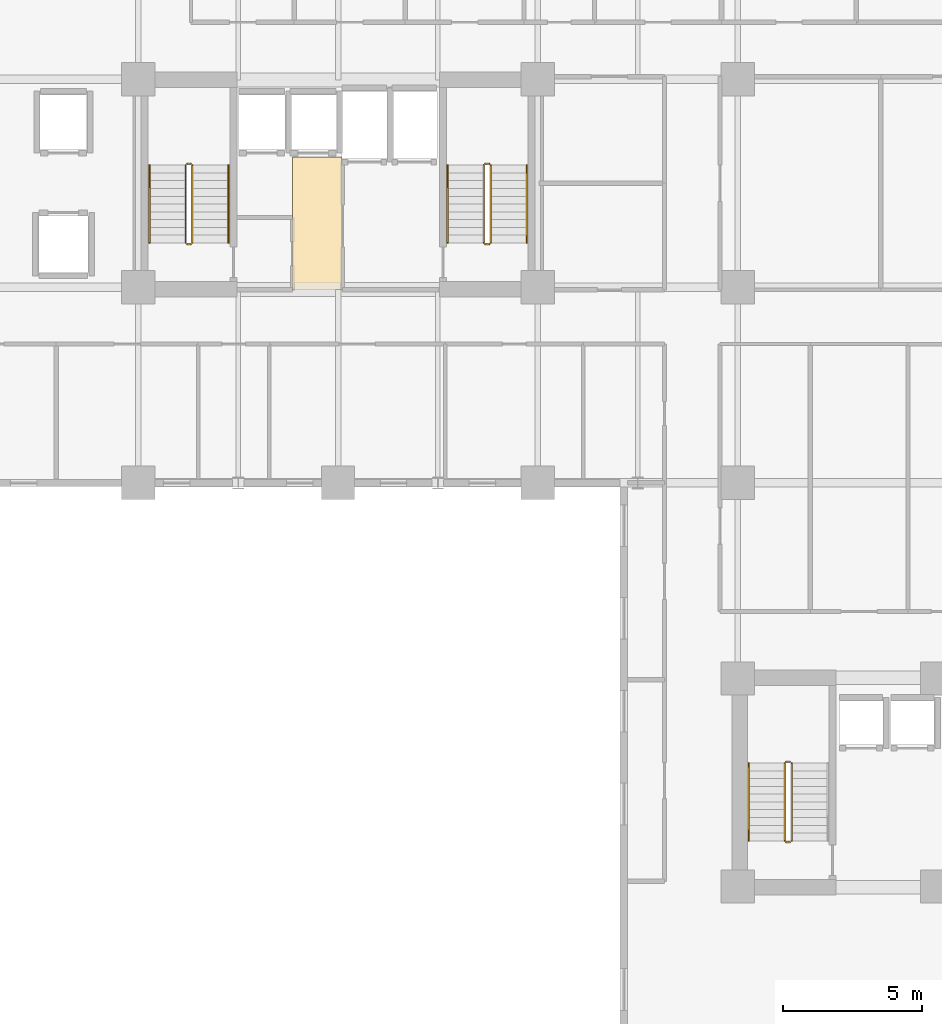
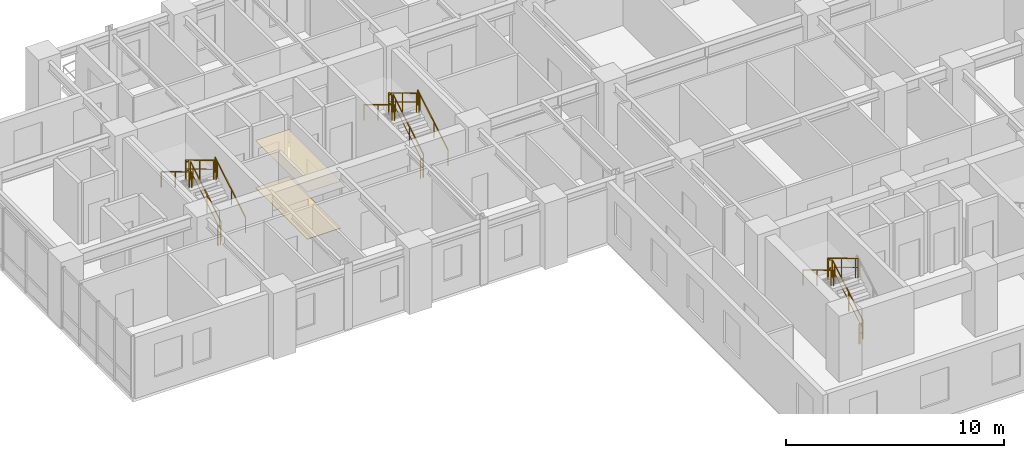
# One storey, part 15 of 18: 17 railings, 2 coverings.
"""IFC4 building model written with IfcOpenShell, lengths in metres."""

from ifc_helpers import new_model, si_unit, direction, frame, origin, origin_2d, place, context, subcontext, project, spatial, rectangle, extrude, source, transform, mapped, material, layer, layer_set, type_object, element, save


model = new_model("IFC4")

# Units and contexts
model_context = context("Model", 3, precision=1e-05, world=origin(), true_north=direction((0.0, 1.0)))
body_context = subcontext(model_context, "Body", "Model", "MODEL_VIEW")
ifc_project = project(units=[si_unit("LENGTHUNIT", "METRE"), si_unit("AREAUNIT", "SQUARE_METRE"), si_unit("VOLUMEUNIT", "CUBIC_METRE"), si_unit("PLANEANGLEUNIT", "RADIAN"), si_unit("MASSUNIT", "GRAM", prefix="KILO")], contexts=[model_context])

# Site, building, storey
site_placement = place(None, origin())
site = spatial("IfcSite", under=ifc_project, at=site_placement, CompositionType="ELEMENT")
building_placement = place(site_placement, origin())
building = spatial("IfcBuilding", under=site, at=building_placement, Name="Kaliganga Portal Commons", CompositionType="ELEMENT")
storey_placement = place(building_placement, frame((0.0, 0.0, 123.0)))
storey = spatial("IfcBuildingStorey", under=building, at=storey_placement, Name="L31", CompositionType="ELEMENT", Elevation=123.0)

# Railings
ifc_material_1 = material(Name="Galvanized Painted Steel Balustrade", Category="steel")
railing_type_1 = type_object("IfcRailingType", Name="RLG-STAIR-GRD", PredefinedType="GUARDRAIL", material=ifc_material_1)
railing_1_placement = place(storey_placement, frame((16.35009765625, 30.25, 0.168212890625)))
element("IfcRailing", 1, at=railing_1_placement, inside=storey, type_object=railing_type_1, Name="L31 ST-A1 stair guard 1", PredefinedType="GUARDRAIL", context=body_context, shape_type="SweptSolid", body=[
    extrude(rectangle(XDim=0.048095703125, YDim=0.048095703125, at=origin_2d()), frame((0.0, 0.0, 1.072021484375), z_axis=(0.0, 0.857242210791, 0.514913383045), x_axis=(-1.0, 0.0, 0.0)), (0.0, 0.0, 1.0), 3.266357421875),
    extrude(rectangle(XDim=0.028076171875, YDim=0.028076171875, at=origin_2d()), frame((0.0, 0.0, 0.572021484375), z_axis=(0.0, 0.857242210791, 0.514913383045), x_axis=(-1.0, 0.0, 0.0)), (0.0, 0.0, 1.0), 3.266357421875),
    extrude(rectangle(XDim=0.0419921875, YDim=0.0419921875, at=origin_2d()), origin(), (0.0, 0.0, 1.0), 1.052001953125),
    extrude(rectangle(XDim=0.0419921875, YDim=0.0419921875, at=origin_2d()), frame((0.0, 1.285888671875, 0.7724609375)), (0.0, 0.0, 1.0), 1.052001953125),
    extrude(rectangle(XDim=0.0419921875, YDim=0.0419921875, at=origin_2d()), frame((0.0, 2.57177734375, 1.544677734375)), (0.0, 0.0, 1.0), 1.052001953125),
    extrude(rectangle(XDim=0.0419921875, YDim=0.0419921875, at=origin_2d()), frame((0.0, 2.800048828125, 1.681884765625)), (0.0, 0.0, 1.0), 1.052001953125),
])
railing_2_placement = place(storey_placement, frame((16.300048828125, 33.10009765625, 1.85009765625)))
element("IfcRailing", 2, at=railing_2_placement, inside=storey, type_object=railing_type_1, Name="L31 ST-A1 stair guard 2", PredefinedType="GUARDRAIL", context=body_context, shape_type="SweptSolid", body=[
    extrude(rectangle(XDim=0.048095703125, YDim=0.048095703125, at=origin_2d()), frame((0.0, 0.0, 1.076171875), z_axis=(-1.0, 0.0, 0.0), x_axis=(0.0, -1.0, 0.0)), (0.0, 0.0, 1.0), 0.150146484375),
    extrude(rectangle(XDim=0.028076171875, YDim=0.028076171875, at=origin_2d()), frame((0.0, 0.0, 0.572021484375), z_axis=(-1.0, 0.0, 0.0), x_axis=(0.0, -1.0, 0.0)), (0.0, 0.0, 1.0), 0.150146484375),
    extrude(rectangle(XDim=0.0419921875, YDim=0.0419921875, at=origin_2d()), origin(), (0.0, 0.0, 1.0), 1.052001953125),
    extrude(rectangle(XDim=0.0419921875, YDim=0.0419921875, at=origin_2d()), frame((-0.150146484375, 0.0, 0.0)), (0.0, 0.0, 1.0), 1.052001953125),
])
railing_3_placement = place(storey_placement, frame((16.10009765625, 33.050048828125, 2.01806640625)))
element("IfcRailing", 3, at=railing_3_placement, inside=storey, type_object=railing_type_1, Name="L31 ST-A1 stair guard 3", PredefinedType="GUARDRAIL", context=body_context, shape_type="SweptSolid", body=[
    extrude(rectangle(XDim=0.048095703125, YDim=0.048095703125, at=origin_2d()), frame((0.0, 0.0, 1.072021484375), z_axis=(0.0, -0.857242210791, 0.514913383045), x_axis=(1.0, 0.0, 0.0)), (0.0, 0.0, 1.0), 3.266357421875),
    extrude(rectangle(XDim=0.028076171875, YDim=0.028076171875, at=origin_2d()), frame((0.0, 0.0, 0.572021484375), z_axis=(0.0, -0.857242210791, 0.514913383045), x_axis=(1.0, 0.0, 0.0)), (0.0, 0.0, 1.0), 3.266357421875),
    extrude(rectangle(XDim=0.0419921875, YDim=0.0419921875, at=origin_2d()), origin(), (0.0, 0.0, 1.0), 1.052001953125),
    extrude(rectangle(XDim=0.0419921875, YDim=0.0419921875, at=origin_2d()), frame((0.0, -1.285888671875, 0.7724609375)), (0.0, 0.0, 1.0), 1.052001953125),
    extrude(rectangle(XDim=0.0419921875, YDim=0.0419921875, at=origin_2d()), frame((0.0, -2.57177734375, 1.544677734375)), (0.0, 0.0, 1.0), 1.052001953125),
    extrude(rectangle(XDim=0.0419921875, YDim=0.0419921875, at=origin_2d()), frame((0.0, -2.800048828125, 1.681884765625)), (0.0, 0.0, 1.0), 1.052001953125),
])
railing_4_placement = place(storey_placement, frame((16.300048828125, 30.199951171875, 0.0)))
element("IfcRailing", 4, at=railing_4_placement, inside=storey, type_object=railing_type_1, Name="L31 ST-A1 stair guard 4", PredefinedType="GUARDRAIL", context=body_context, shape_type="SweptSolid", body=[
    extrude(rectangle(XDim=0.048095703125, YDim=0.048095703125, at=origin_2d()), frame((0.0, 0.0, 1.076171875), z_axis=(-1.0, 0.0, 0.0), x_axis=(0.0, -1.0, 0.0)), (0.0, 0.0, 1.0), 0.150146484375),
    extrude(rectangle(XDim=0.028076171875, YDim=0.028076171875, at=origin_2d()), frame((0.0, 0.0, 0.572021484375), z_axis=(-1.0, 0.0, 0.0), x_axis=(0.0, -1.0, 0.0)), (0.0, 0.0, 1.0), 0.150146484375),
    extrude(rectangle(XDim=0.0419921875, YDim=0.0419921875, at=origin_2d()), origin(), (0.0, 0.0, 1.0), 1.052001953125),
    extrude(rectangle(XDim=0.0419921875, YDim=0.0419921875, at=origin_2d()), frame((-0.150146484375, 0.0, 0.0)), (0.0, 0.0, 1.0), 1.052001953125),
])
railing_5_placement = place(storey_placement, frame((27.10009765625, 30.25, 0.168212890625)))
element("IfcRailing", 5, at=railing_5_placement, inside=storey, type_object=railing_type_1, Name="L31 ST-A2 stair guard 1", PredefinedType="GUARDRAIL", context=body_context, shape_type="SweptSolid", body=[
    extrude(rectangle(XDim=0.048095703125, YDim=0.048095703125, at=origin_2d()), frame((0.0, 0.0, 1.072021484375), z_axis=(0.0, 0.857242210791, 0.514913383045), x_axis=(-1.0, 0.0, 0.0)), (0.0, 0.0, 1.0), 3.266357421875),
    extrude(rectangle(XDim=0.028076171875, YDim=0.028076171875, at=origin_2d()), frame((0.0, 0.0, 0.572021484375), z_axis=(0.0, 0.857242210791, 0.514913383045), x_axis=(-1.0, 0.0, 0.0)), (0.0, 0.0, 1.0), 3.266357421875),
    extrude(rectangle(XDim=0.0419921875, YDim=0.0419921875, at=origin_2d()), origin(), (0.0, 0.0, 1.0), 1.052001953125),
    extrude(rectangle(XDim=0.0419921875, YDim=0.0419921875, at=origin_2d()), frame((0.0, 1.285888671875, 0.7724609375)), (0.0, 0.0, 1.0), 1.052001953125),
    extrude(rectangle(XDim=0.0419921875, YDim=0.0419921875, at=origin_2d()), frame((0.0, 2.57177734375, 1.544677734375)), (0.0, 0.0, 1.0), 1.052001953125),
    extrude(rectangle(XDim=0.0419921875, YDim=0.0419921875, at=origin_2d()), frame((0.0, 2.800048828125, 1.681884765625)), (0.0, 0.0, 1.0), 1.052001953125),
])
railing_6_placement = place(storey_placement, frame((27.050048828125, 33.10009765625, 1.85009765625)))
element("IfcRailing", 6, at=railing_6_placement, inside=storey, type_object=railing_type_1, Name="L31 ST-A2 stair guard 2", PredefinedType="GUARDRAIL", context=body_context, shape_type="SweptSolid", body=[
    extrude(rectangle(XDim=0.048095703125, YDim=0.048095703125, at=origin_2d()), frame((0.0, 0.0, 1.076171875), z_axis=(-1.0, 0.0, 0.0), x_axis=(0.0, -1.0, 0.0)), (0.0, 0.0, 1.0), 0.150146484375),
    extrude(rectangle(XDim=0.028076171875, YDim=0.028076171875, at=origin_2d()), frame((0.0, 0.0, 0.572021484375), z_axis=(-1.0, 0.0, 0.0), x_axis=(0.0, -1.0, 0.0)), (0.0, 0.0, 1.0), 0.150146484375),
    extrude(rectangle(XDim=0.0419921875, YDim=0.0419921875, at=origin_2d()), origin(), (0.0, 0.0, 1.0), 1.052001953125),
    extrude(rectangle(XDim=0.0419921875, YDim=0.0419921875, at=origin_2d()), frame((-0.150146484375, 0.0, 0.0)), (0.0, 0.0, 1.0), 1.052001953125),
])
railing_7_placement = place(storey_placement, frame((26.85009765625, 33.050048828125, 2.01806640625)))
element("IfcRailing", 7, at=railing_7_placement, inside=storey, type_object=railing_type_1, Name="L31 ST-A2 stair guard 3", PredefinedType="GUARDRAIL", context=body_context, shape_type="SweptSolid", body=[
    extrude(rectangle(XDim=0.048095703125, YDim=0.048095703125, at=origin_2d()), frame((0.0, 0.0, 1.072021484375), z_axis=(0.0, -0.857242210791, 0.514913383045), x_axis=(1.0, 0.0, 0.0)), (0.0, 0.0, 1.0), 3.266357421875),
    extrude(rectangle(XDim=0.028076171875, YDim=0.028076171875, at=origin_2d()), frame((0.0, 0.0, 0.572021484375), z_axis=(0.0, -0.857242210791, 0.514913383045), x_axis=(1.0, 0.0, 0.0)), (0.0, 0.0, 1.0), 3.266357421875),
    extrude(rectangle(XDim=0.0419921875, YDim=0.0419921875, at=origin_2d()), origin(), (0.0, 0.0, 1.0), 1.052001953125),
    extrude(rectangle(XDim=0.0419921875, YDim=0.0419921875, at=origin_2d()), frame((0.0, -1.285888671875, 0.7724609375)), (0.0, 0.0, 1.0), 1.052001953125),
    extrude(rectangle(XDim=0.0419921875, YDim=0.0419921875, at=origin_2d()), frame((0.0, -2.57177734375, 1.544677734375)), (0.0, 0.0, 1.0), 1.052001953125),
    extrude(rectangle(XDim=0.0419921875, YDim=0.0419921875, at=origin_2d()), frame((0.0, -2.800048828125, 1.681884765625)), (0.0, 0.0, 1.0), 1.052001953125),
])
railing_8_placement = place(storey_placement, frame((27.050048828125, 30.199951171875, 0.0)))
element("IfcRailing", 8, at=railing_8_placement, inside=storey, type_object=railing_type_1, Name="L31 ST-A2 stair guard 4", PredefinedType="GUARDRAIL", context=body_context, shape_type="SweptSolid", body=[
    extrude(rectangle(XDim=0.048095703125, YDim=0.048095703125, at=origin_2d()), frame((0.0, 0.0, 1.076171875), z_axis=(-1.0, 0.0, 0.0), x_axis=(0.0, -1.0, 0.0)), (0.0, 0.0, 1.0), 0.150146484375),
    extrude(rectangle(XDim=0.028076171875, YDim=0.028076171875, at=origin_2d()), frame((0.0, 0.0, 0.572021484375), z_axis=(-1.0, 0.0, 0.0), x_axis=(0.0, -1.0, 0.0)), (0.0, 0.0, 1.0), 0.150146484375),
    extrude(rectangle(XDim=0.0419921875, YDim=0.0419921875, at=origin_2d()), origin(), (0.0, 0.0, 1.0), 1.052001953125),
    extrude(rectangle(XDim=0.0419921875, YDim=0.0419921875, at=origin_2d()), frame((-0.150146484375, 0.0, 0.0)), (0.0, 0.0, 1.0), 1.052001953125),
])
railing_9_placement = place(storey_placement, frame((37.949951171875, 8.699951171875, 0.168212890625)))
element("IfcRailing", 9, at=railing_9_placement, inside=storey, type_object=railing_type_1, Name="L31 ST-B1 stair guard 1", PredefinedType="GUARDRAIL", context=body_context, shape_type="SweptSolid", body=[
    extrude(rectangle(XDim=0.048095703125, YDim=0.048095703125, at=origin_2d()), frame((0.0, 0.0, 1.072021484375), z_axis=(0.0, 0.857242210791, 0.514913383045), x_axis=(-1.0, 0.0, 0.0)), (0.0, 0.0, 1.0), 3.266357421875),
    extrude(rectangle(XDim=0.028076171875, YDim=0.028076171875, at=origin_2d()), frame((0.0, 0.0, 0.572021484375), z_axis=(0.0, 0.857242210791, 0.514913383045), x_axis=(-1.0, 0.0, 0.0)), (0.0, 0.0, 1.0), 3.266357421875),
    extrude(rectangle(XDim=0.0419921875, YDim=0.0419921875, at=origin_2d()), origin(), (0.0, 0.0, 1.0), 1.052001953125),
    extrude(rectangle(XDim=0.0419921875, YDim=0.0419921875, at=origin_2d()), frame((0.0, 1.285888671875, 0.7724609375)), (0.0, 0.0, 1.0), 1.052001953125),
    extrude(rectangle(XDim=0.0419921875, YDim=0.0419921875, at=origin_2d()), frame((0.0, 2.57177734375, 1.544677734375)), (0.0, 0.0, 1.0), 1.052001953125),
    extrude(rectangle(XDim=0.0419921875, YDim=0.0419921875, at=origin_2d()), frame((0.0, 2.800048828125, 1.681884765625)), (0.0, 0.0, 1.0), 1.052001953125),
])
railing_10_placement = place(storey_placement, frame((37.89990234375, 11.550048828125, 1.85009765625)))
element("IfcRailing", 10, at=railing_10_placement, inside=storey, type_object=railing_type_1, Name="L31 ST-B1 stair guard 2", PredefinedType="GUARDRAIL", context=body_context, shape_type="SweptSolid", body=[
    extrude(rectangle(XDim=0.048095703125, YDim=0.048095703125, at=origin_2d()), frame((0.0, 0.0, 1.076171875), z_axis=(-1.0, 0.0, 0.0), x_axis=(0.0, -1.0, 0.0)), (0.0, 0.0, 1.0), 0.14990234375),
    extrude(rectangle(XDim=0.028076171875, YDim=0.028076171875, at=origin_2d()), frame((0.0, 0.0, 0.572021484375), z_axis=(-1.0, 0.0, 0.0), x_axis=(0.0, -1.0, 0.0)), (0.0, 0.0, 1.0), 0.14990234375),
    extrude(rectangle(XDim=0.0419921875, YDim=0.0419921875, at=origin_2d()), frame((-0.14990234375, 0.0, 0.0)), (0.0, 0.0, 1.0), 1.052001953125),
])
railing_11_placement = place(storey_placement, frame((37.699951171875, 11.5, 2.01806640625)))
element("IfcRailing", 11, at=railing_11_placement, inside=storey, type_object=railing_type_1, Name="L31 ST-B1 stair guard 3", PredefinedType="GUARDRAIL", context=body_context, shape_type="SweptSolid", body=[
    extrude(rectangle(XDim=0.048095703125, YDim=0.048095703125, at=origin_2d()), frame((0.0, 0.0, 1.072021484375), z_axis=(0.0, -0.857242210791, 0.514913383045), x_axis=(1.0, 0.0, 0.0)), (0.0, 0.0, 1.0), 3.266357421875),
    extrude(rectangle(XDim=0.028076171875, YDim=0.028076171875, at=origin_2d()), frame((0.0, 0.0, 0.572021484375), z_axis=(0.0, -0.857242210791, 0.514913383045), x_axis=(1.0, 0.0, 0.0)), (0.0, 0.0, 1.0), 3.266357421875),
    extrude(rectangle(XDim=0.0419921875, YDim=0.0419921875, at=origin_2d()), origin(), (0.0, 0.0, 1.0), 1.052001953125),
    extrude(rectangle(XDim=0.0419921875, YDim=0.0419921875, at=origin_2d()), frame((0.0, -1.285888671875, 0.7724609375)), (0.0, 0.0, 1.0), 1.052001953125),
    extrude(rectangle(XDim=0.0419921875, YDim=0.0419921875, at=origin_2d()), frame((0.0, -2.57177734375, 1.544677734375)), (0.0, 0.0, 1.0), 1.052001953125),
    extrude(rectangle(XDim=0.0419921875, YDim=0.0419921875, at=origin_2d()), frame((0.0, -2.800048828125, 1.681884765625)), (0.0, 0.0, 1.0), 1.052001953125),
])
railing_12_placement = place(storey_placement, frame((37.89990234375, 8.64990234375, 0.0)))
element("IfcRailing", 12, at=railing_12_placement, inside=storey, type_object=railing_type_1, Name="L31 ST-B1 stair guard 4", PredefinedType="GUARDRAIL", context=body_context, shape_type="SweptSolid", body=[
    extrude(rectangle(XDim=0.048095703125, YDim=0.048095703125, at=origin_2d()), frame((0.0, 0.0, 1.076171875), z_axis=(-1.0, 0.0, 0.0), x_axis=(0.0, -1.0, 0.0)), (0.0, 0.0, 1.0), 0.14990234375),
    extrude(rectangle(XDim=0.028076171875, YDim=0.028076171875, at=origin_2d()), frame((0.0, 0.0, 0.572021484375), z_axis=(-1.0, 0.0, 0.0), x_axis=(0.0, -1.0, 0.0)), (0.0, 0.0, 1.0), 0.14990234375),
    extrude(rectangle(XDim=0.0419921875, YDim=0.0419921875, at=origin_2d()), frame((-0.14990234375, 0.0, 0.0)), (0.0, 0.0, 1.0), 1.052001953125),
])
ifc_material_2 = material(Name="Brushed Stainless Steel 316", Category="steel")
railing_type_2 = type_object("IfcRailingType", Name="RLG-STAIR-HR", PredefinedType="HANDRAIL", material=ifc_material_2)
railing_13_placement = place(storey_placement, frame((17.64990234375, 30.25, 0.168212890625)))
element("IfcRailing", 13, at=railing_13_placement, inside=storey, type_object=railing_type_2, Name="L31 ST-A1 stair handrail 1", PredefinedType="HANDRAIL", context=body_context, shape_type="SweptSolid", body=[
    extrude(rectangle(XDim=0.048095703125, YDim=0.048095703125, at=origin_2d()), frame((0.0, 0.0, 0.871826171875), z_axis=(0.0, 0.857242210791, 0.514913383045), x_axis=(-1.0, 0.0, 0.0)), (0.0, 0.0, 1.0), 3.266357421875),
    extrude(rectangle(XDim=0.0419921875, YDim=0.0419921875, at=origin_2d()), origin(), (0.0, 0.0, 1.0), 0.851806640625),
    extrude(rectangle(XDim=0.0419921875, YDim=0.0419921875, at=origin_2d()), frame((0.0, 1.285888671875, 0.7724609375)), (0.0, 0.0, 1.0), 0.851806640625),
    extrude(rectangle(XDim=0.0419921875, YDim=0.0419921875, at=origin_2d()), frame((0.0, 2.57177734375, 1.544677734375)), (0.0, 0.0, 1.0), 0.851806640625),
    extrude(rectangle(XDim=0.0419921875, YDim=0.0419921875, at=origin_2d()), frame((0.0, 2.800048828125, 1.681884765625)), (0.0, 0.0, 1.0), 0.851806640625),
])
railing_14_placement = place(storey_placement, frame((14.800048828125, 33.050048828125, 2.01806640625)))
element("IfcRailing", 14, at=railing_14_placement, inside=storey, type_object=railing_type_2, Name="L31 ST-A1 stair handrail 2", PredefinedType="HANDRAIL", context=body_context, shape_type="SweptSolid", body=[
    extrude(rectangle(XDim=0.048095703125, YDim=0.048095703125, at=origin_2d()), frame((0.0, 0.0, 0.871826171875), z_axis=(0.0, -0.857242210791, 0.514913383045), x_axis=(1.0, 0.0, 0.0)), (0.0, 0.0, 1.0), 3.266357421875),
    extrude(rectangle(XDim=0.0419921875, YDim=0.0419921875, at=origin_2d()), origin(), (0.0, 0.0, 1.0), 0.851806640625),
    extrude(rectangle(XDim=0.0419921875, YDim=0.0419921875, at=origin_2d()), frame((0.0, -1.285888671875, 0.7724609375)), (0.0, 0.0, 1.0), 0.851806640625),
    extrude(rectangle(XDim=0.0419921875, YDim=0.0419921875, at=origin_2d()), frame((0.0, -2.57177734375, 1.544677734375)), (0.0, 0.0, 1.0), 0.851806640625),
    extrude(rectangle(XDim=0.0419921875, YDim=0.0419921875, at=origin_2d()), frame((0.0, -2.800048828125, 1.681884765625)), (0.0, 0.0, 1.0), 0.851806640625),
])
railing_15_placement = place(storey_placement, frame((28.39990234375, 30.25, 0.168212890625)))
element("IfcRailing", 15, at=railing_15_placement, inside=storey, type_object=railing_type_2, Name="L31 ST-A2 stair handrail 1", PredefinedType="HANDRAIL", context=body_context, shape_type="SweptSolid", body=[
    extrude(rectangle(XDim=0.048095703125, YDim=0.048095703125, at=origin_2d()), frame((0.0, 0.0, 0.871826171875), z_axis=(0.0, 0.857242210791, 0.514913383045), x_axis=(-1.0, 0.0, 0.0)), (0.0, 0.0, 1.0), 3.266357421875),
    extrude(rectangle(XDim=0.0419921875, YDim=0.0419921875, at=origin_2d()), origin(), (0.0, 0.0, 1.0), 0.851806640625),
    extrude(rectangle(XDim=0.0419921875, YDim=0.0419921875, at=origin_2d()), frame((0.0, 1.285888671875, 0.7724609375)), (0.0, 0.0, 1.0), 0.851806640625),
    extrude(rectangle(XDim=0.0419921875, YDim=0.0419921875, at=origin_2d()), frame((0.0, 2.57177734375, 1.544677734375)), (0.0, 0.0, 1.0), 0.851806640625),
    extrude(rectangle(XDim=0.0419921875, YDim=0.0419921875, at=origin_2d()), frame((0.0, 2.800048828125, 1.681884765625)), (0.0, 0.0, 1.0), 0.851806640625),
])
for number, where, name in (
    (16, (25.550048828125, 33.050048828125, 2.01806640625), "L31 ST-A2 stair handrail 2"),
    (17, (36.39990234375, 11.5, 2.01806640625), "L31 ST-B1 stair handrail 2"),
):
    element("IfcRailing", number, at=place(storey_placement, frame(where)), inside=storey, type_object=railing_type_2, Name=name, PredefinedType="HANDRAIL", context=body_context, shape_type="SweptSolid", body=[
        extrude(rectangle(XDim=0.048095703125, YDim=0.048095703125, at=origin_2d()), frame((0.0, 0.0, 0.871826171875), z_axis=(0.0, -0.857242210791, 0.514913383045), x_axis=(1.0, 0.0, 0.0)), (0.0, 0.0, 1.0), 3.266357421875),
        extrude(rectangle(XDim=0.0419921875, YDim=0.0419921875, at=origin_2d()), origin(), (0.0, 0.0, 1.0), 0.851806640625),
        extrude(rectangle(XDim=0.0419921875, YDim=0.0419921875, at=origin_2d()), frame((0.0, -1.285888671875, 0.7724609375)), (0.0, 0.0, 1.0), 0.851806640625),
        extrude(rectangle(XDim=0.0419921875, YDim=0.0419921875, at=origin_2d()), frame((0.0, -2.57177734375, 1.544677734375)), (0.0, 0.0, 1.0), 0.851806640625),
        extrude(rectangle(XDim=0.0419921875, YDim=0.0419921875, at=origin_2d()), frame((0.0, -2.800048828125, 1.681884765625)), (0.0, 0.0, 1.0), 0.851806640625),
    ])

# Coverings
ifc_material_3 = material(Name="Acoustic Micro-Perforated Gypsum Ceiling", Category="gypsum")
ifc_layer_1 = layer(ifc_material_3, 0.02001953125)
ifc_layer_set_1 = layer_set([ifc_layer_1], Name="Acoustic Micro-Perforated Gypsum Ceiling")
covering_type_1 = type_object("IfcCoveringType", Name="COV-CEIL-GYP", PredefinedType="CEILING", material=ifc_layer_set_1)
shared_shape_1 = source(origin(), body_context, "Body", "SweptSolid", [
    extrude(rectangle(XDim=1.780029296875, YDim=4.780029296875, at=origin_2d()), origin(), (0.0, 0.0, 1.0), 0.02001953125),
])
covering_1_placement = place(storey_placement, frame((20.85009765625, 30.949951171875, 2.639892578125), z_axis=(0.0, 0.0, 1.0), x_axis=(1.0, 0.0, 0.0)))
element("IfcCovering", 18, at=covering_1_placement, inside=storey, type_object=covering_type_1, Name="Acoustic Ceiling L31 PLOB_A", PredefinedType="CEILING", context=body_context, shape_type="MappedRepresentation", body=[
    mapped(shared_shape_1, transform((0.0, 0.0, 0.0), x_axis=(1.0, 0.0, 0.0), y_axis=(0.0, 1.0, 0.0), z_axis=(0.0, 0.0, 1.0), scale=1.0)),
])
ifc_material_4 = material(Name="Polished Sylhet Stone Terrazzo Flooring", Category="masonry")
ifc_layer_2 = layer(ifc_material_4, 0.02490234375)
ifc_layer_set_2 = layer_set([ifc_layer_2], Name="Polished Sylhet Stone Terrazzo Flooring")
covering_type_2 = type_object("IfcCoveringType", Name="COV-FLR-TERRAZZO", PredefinedType="FLOORING", material=ifc_layer_set_2)
shared_shape_2 = source(origin(), body_context, "Body", "SweptSolid", [
    extrude(rectangle(XDim=1.780029296875, YDim=4.780029296875, at=origin_2d()), origin(), (0.0, 0.0, 1.0), 0.02490234375),
])
covering_2_placement = place(storey_placement, frame((20.85009765625, 30.949951171875, 0.00048828125), z_axis=(0.0, 0.0, 1.0), x_axis=(1.0, 0.0, 0.0)))
element("IfcCovering", 19, at=covering_2_placement, inside=storey, type_object=covering_type_2, Name="Terrazzo Flooring L31 PLOB_A", PredefinedType="FLOORING", context=body_context, shape_type="MappedRepresentation", body=[
    mapped(shared_shape_2, transform((0.0, 0.0, 0.0), x_axis=(1.0, 0.0, 0.0), y_axis=(0.0, 1.0, 0.0), z_axis=(0.0, 0.0, 1.0), scale=1.0)),
])

save(model, "model.ifc")
